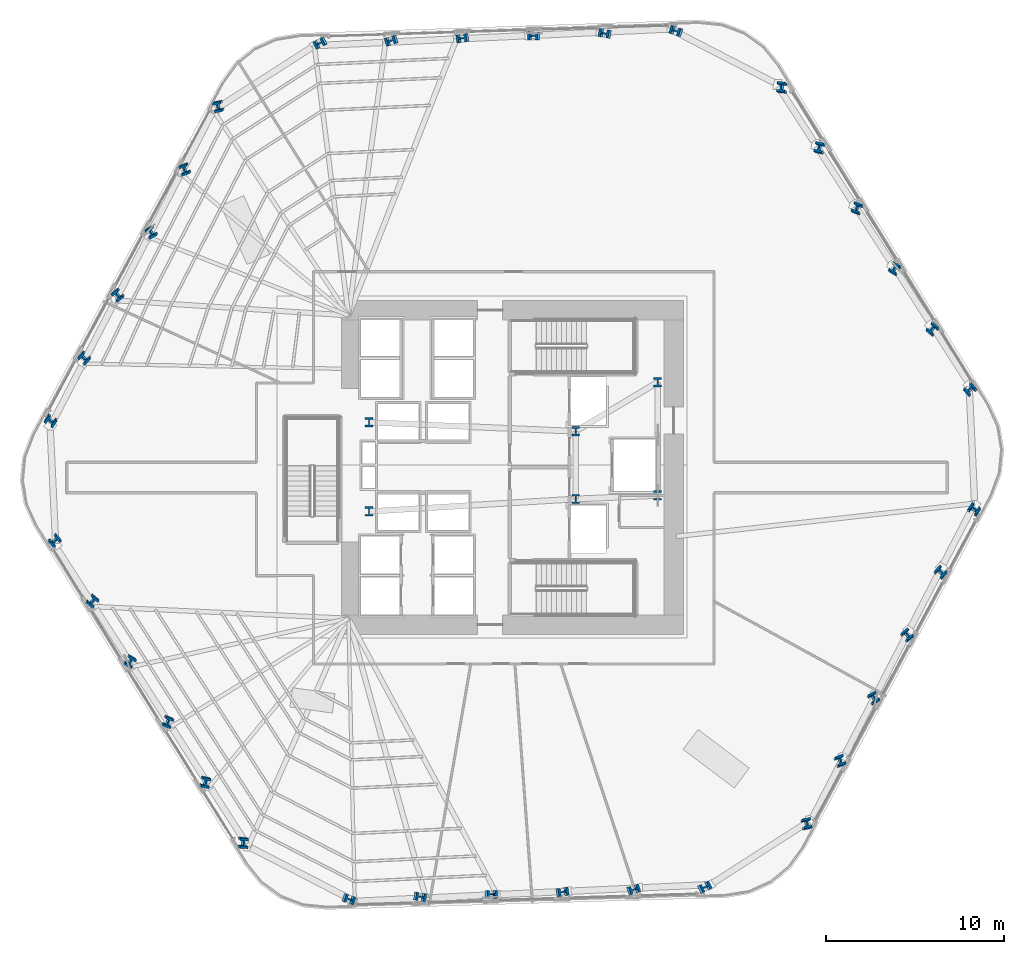
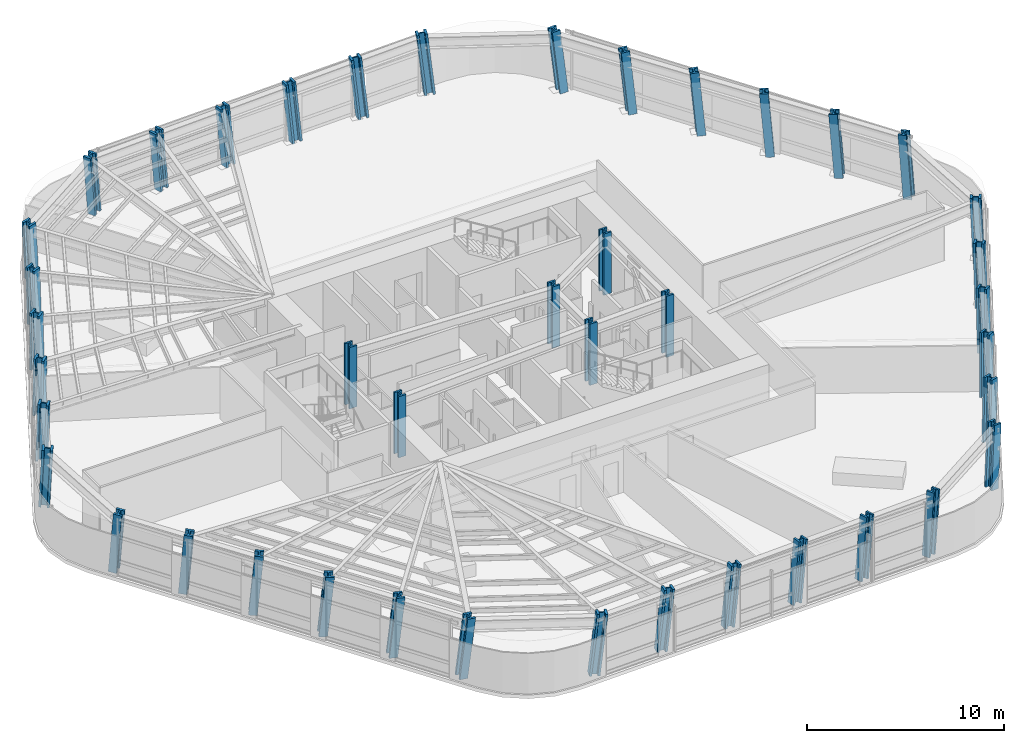
# One storey, part 1 of 15: 42 columns.
"""IFC4 building model written with IfcOpenShell, lengths in metres."""

from ifc_helpers import new_model, si_unit, direction, frame, origin, origin_2d, place, context, subcontext, project, spatial, i_section, extrude, material, material_profile, profile_set, type_object, element, save


model = new_model("IFC4")

# Units and contexts
model_context = context("Model", 3, precision=1e-05, world=origin(), true_north=direction((0.0, 1.0)))
body_context = subcontext(model_context, "Body", "Model", "MODEL_VIEW")
ifc_project = project(units=[si_unit("LENGTHUNIT", "METRE"), si_unit("AREAUNIT", "SQUARE_METRE"), si_unit("VOLUMEUNIT", "CUBIC_METRE"), si_unit("PLANEANGLEUNIT", "RADIAN"), si_unit("MASSUNIT", "GRAM", prefix="KILO")], contexts=[model_context])

# Site, building, storey
site_placement = place(None, origin())
site = spatial("IfcSite", under=ifc_project, at=site_placement, CompositionType="ELEMENT")
building_placement = place(site_placement, origin())
building = spatial("IfcBuilding", under=site, at=building_placement, Name="Valkerne Bourse Tower", CompositionType="ELEMENT")
storey_placement = place(building_placement, frame((0.0, 0.0, 31.60009765625)))
storey = spatial("IfcBuildingStorey", under=building, at=storey_placement, Name="L07", CompositionType="ELEMENT", Elevation=31.60009765625)

# Columns
ifc_material = material(Name="Steel ASTM A913 Grade 65", Category="steel")
ifc_material_profile_1 = material_profile(ifc_material, i_section(OverallWidth=0.44189453125, OverallDepth=0.531005859375, WebThickness=0.06591796875, FlangeThickness=0.105712890625, FilletRadius=0.030517578125, at=origin_2d()), Name="W14X605")
ifc_profile_set_1 = profile_set([ifc_material_profile_1], Name="Steel ASTM A913 Grade 65")
column_type_1 = type_object("IfcColumnType", Name="COL-W14X605", PredefinedType="COLUMN", material=ifc_profile_set_1)
for number, where, z_axis, x_axis, name in (
    (1, (38.75, 24.39990234375, 0.0048828125), (0.0, 0.0, 1.0), (1.0, 0.0, 0.0), "L07 Core Frame Column CC-SW"),
    (2, (38.75, 29.39990234375, 0.0048828125), (0.0, 0.0, 1.0), (1.0, 0.0, 0.0), "L07 Core Frame Column CC-NW"),
    (3, (50.35009765625, 25.10009765625, 0.0048828125), (0.0, 0.0, 1.0), (1.0, 0.0, 0.0), "L07 Core Frame Column CC-CE1"),
    (4, (50.35009765625, 28.89990234375, 0.0048828125), (0.0, 0.0, 1.0), (1.0, 0.0, 0.0), "L07 Core Frame Column CC-CE2"),
    (5, (54.949951171875, 25.300048828125, 0.0048828125), (0.0, 0.0, 1.0), (1.0, 0.0, 0.0), "L07 Core Frame Column CC-SE"),
    (6, (54.949951171875, 31.64990234375, 0.0048828125), (0.0, 0.0, 1.0), (1.0, 0.0, 0.0), "L07 Core Frame Column CC-NE"),
):
    element("IfcColumn", number, at=place(storey_placement, frame(where, z_axis=z_axis, x_axis=x_axis)), inside=storey, type_object=column_type_1, Name=name, PredefinedType="COLUMN", context=body_context, shape_type="SweptSolid", body=[
        extrude(i_section(OverallWidth=0.44189453125, OverallDepth=0.531005859375, WebThickness=0.06591796875, FlangeThickness=0.105712890625, FilletRadius=0.030517578125, at=origin_2d()), origin(), (0.0, 0.0, 1.0), 3.794921875),
    ])
ifc_material_profile_2 = material_profile(ifc_material, i_section(OverallWidth=0.45458984375, OverallDepth=0.569091796875, WebThickness=0.077880859375, FlangeThickness=0.124755859375, FilletRadius=0.030517578125, at=origin_2d()), Name="W14X730")
ifc_profile_set_2 = profile_set([ifc_material_profile_2], Name="Steel ASTM A913 Grade 65")
column_type_2 = type_object("IfcColumnType", Name="COL-W14X730", PredefinedType="COLUMN", material=ifc_profile_set_2)
column_1_placement = place(storey_placement, frame((72.489013671875, 31.173583984375, 0.010009765625), z_axis=(-0.018039205171, 0.105924158478, 0.99421057112), x_axis=(0.661335291887, -0.74451073152, 0.091320328277)))
element("IfcColumn", 7, at=column_1_placement, inside=storey, type_object=column_type_2, Name="L07 Helical Perimeter Tube Column F1-C1", PredefinedType="COLUMN", context=body_context, shape_type="SweptSolid", body=[
    extrude(i_section(OverallWidth=0.45458984375, OverallDepth=0.569091796875, WebThickness=0.077880859375, FlangeThickness=0.124755859375, FilletRadius=0.030517578125, at=origin_2d()), origin(), (0.0, 0.0, 1.0), 3.802978515625),
])
column_2_placement = place(storey_placement, frame((70.38330078125, 34.569580078125, 0.010009765625), z_axis=(-0.031987061875, 0.097245806585, 0.994746239487), x_axis=(0.764734361376, -0.638444615202, 0.087004769121)))
element("IfcColumn", 8, at=column_2_placement, inside=storey, type_object=column_type_2, Name="L07 Helical Perimeter Tube Column F1-C2", PredefinedType="COLUMN", context=body_context, shape_type="SweptSolid", body=[
    extrude(i_section(OverallWidth=0.45458984375, OverallDepth=0.569091796875, WebThickness=0.077880859375, FlangeThickness=0.124755859375, FilletRadius=0.030517578125, at=origin_2d()), origin(), (0.0, 0.0, 1.0), 3.801025390625),
])
for number, where, z_axis, x_axis, name in (
    (9, (68.277587890625, 37.9658203125, 0.010009765625), (-0.046002163814, 0.088406393027, 0.99502166338), (0.857811559229, -0.506937225343, 0.084699341285), "L07 Helical Perimeter Tube Column F1-C3"),
    (10, (66.171875, 41.362060546875, 0.010009765625), (-0.059944212599, 0.079604372358, 0.995022530035), (0.929657338292, -0.358558922234, 0.08469198691), "L07 Helical Perimeter Tube Column F1-C4"),
):
    element("IfcColumn", number, at=place(storey_placement, frame(where, z_axis=z_axis, x_axis=x_axis)), inside=storey, type_object=column_type_2, Name=name, PredefinedType="COLUMN", context=body_context, shape_type="SweptSolid", body=[
        extrude(i_section(OverallWidth=0.45458984375, OverallDepth=0.569091796875, WebThickness=0.077880859375, FlangeThickness=0.124755859375, FilletRadius=0.030517578125, at=origin_2d()), origin(), (0.0, 0.0, 1.0), 3.7998046875),
    ])
column_3_placement = place(storey_placement, frame((64.066162109375, 44.75830078125, 0.010009765625), z_axis=(-0.073930423894, 0.07071885031, 0.994752801772), x_axis=(0.975185135874, -0.203601451994, 0.08695055789)))
element("IfcColumn", 11, at=column_3_placement, inside=storey, type_object=column_type_2, Name="L07 Helical Perimeter Tube Column F1-C5", PredefinedType="COLUMN", context=body_context, shape_type="SweptSolid", body=[
    extrude(i_section(OverallWidth=0.45458984375, OverallDepth=0.569091796875, WebThickness=0.077880859375, FlangeThickness=0.124755859375, FilletRadius=0.030517578125, at=origin_2d()), origin(), (0.0, 0.0, 1.0), 3.801025390625),
])
for number, where, z_axis, x_axis, name in (
    (12, (61.96044921875, 48.154296875, 0.010009765625), (-0.087820541864, 0.061949431944, 0.994208137318), (0.994217955209, -0.05646024783, 0.09133946548), "L07 Helical Perimeter Tube Column F1-C6"),
    (13, (56.0302734375, 51.333984375, 0.010009765625), (-0.100851535924, 0.037361931195, 0.99419970519), (0.317937048483, 0.948105806774, -0.003378218918), "L07 Helical Perimeter Tube Column F2-C1"),
):
    element("IfcColumn", number, at=place(storey_placement, frame(where, z_axis=z_axis, x_axis=x_axis)), inside=storey, type_object=column_type_2, Name=name, PredefinedType="COLUMN", context=body_context, shape_type="SweptSolid", body=[
        extrude(i_section(OverallWidth=0.45458984375, OverallDepth=0.569091796875, WebThickness=0.077880859375, FlangeThickness=0.124755859375, FilletRadius=0.030517578125, at=origin_2d()), origin(), (0.0, 0.0, 1.0), 3.802978515625),
    ])
column_4_placement = place(storey_placement, frame((52.0361328125, 51.20849609375, 0.010009765625), z_axis=(-0.100200636319, 0.020875132566, 0.99474824017), x_axis=(0.173264591229, 0.984870065283, -0.003214955053)))
element("IfcColumn", 14, at=column_4_placement, inside=storey, type_object=column_type_2, Name="L07 Helical Perimeter Tube Column F2-C2", PredefinedType="COLUMN", context=body_context, shape_type="SweptSolid", body=[
    extrude(i_section(OverallWidth=0.45458984375, OverallDepth=0.569091796875, WebThickness=0.077880859375, FlangeThickness=0.124755859375, FilletRadius=0.030517578125, at=origin_2d()), origin(), (0.0, 0.0, 1.0), 3.801025390625),
])
column_5_placement = place(storey_placement, frame((48.0419921875, 51.0830078125, 0.010009765625), z_axis=(-0.099521853244, 0.004368938683, 0.995025785144), x_axis=(0.012610967252, 0.999915582657, -0.003129067692)))
element("IfcColumn", 15, at=column_5_placement, inside=storey, type_object=column_type_2, Name="L07 Helical Perimeter Tube Column F2-C3", PredefinedType="COLUMN", context=body_context, shape_type="SweptSolid", body=[
    extrude(i_section(OverallWidth=0.45458984375, OverallDepth=0.569091796875, WebThickness=0.077880859375, FlangeThickness=0.124755859375, FilletRadius=0.030517578125, at=origin_2d()), origin(), (0.0, 0.0, 1.0), 3.7998046875),
])
column_6_placement = place(storey_placement, frame((44.048095703125, 50.95751953125, 0.010009765625), z_axis=(-0.098942938267, -0.012142996969, 0.995019016196), x_axis=(-0.152774771334, 0.988256072528, -0.003131190685)))
element("IfcColumn", 16, at=column_6_placement, inside=storey, type_object=column_type_2, Name="L07 Helical Perimeter Tube Column F2-C4", PredefinedType="COLUMN", context=body_context, shape_type="SweptSolid", body=[
    extrude(i_section(OverallWidth=0.45458984375, OverallDepth=0.569091796875, WebThickness=0.077880859375, FlangeThickness=0.124755859375, FilletRadius=0.030517578125, at=origin_2d()), origin(), (0.0, 0.0, 1.0), 3.800048828125),
])
column_7_placement = place(storey_placement, frame((40.05419921875, 50.83203125, 0.010009765625), z_axis=(-0.098273581197, -0.028647070074, 0.994747027447), x_axis=(-0.309714580052, 0.950824137571, -0.003215325248)))
element("IfcColumn", 17, at=column_7_placement, inside=storey, type_object=column_type_2, Name="L07 Helical Perimeter Tube Column F2-C5", PredefinedType="COLUMN", context=body_context, shape_type="SweptSolid", body=[
    extrude(i_section(OverallWidth=0.45458984375, OverallDepth=0.569091796875, WebThickness=0.077880859375, FlangeThickness=0.124755859375, FilletRadius=0.030517578125, at=origin_2d()), origin(), (0.0, 0.0, 1.0), 3.801025390625),
])
for number, where, z_axis, x_axis, name in (
    (18, (36.06005859375, 50.70654296875, 0.010009765625), (-0.097577985758, -0.045129818413, 0.994204121992), (-0.447914389652, 0.89407007323, -0.003376936191), "L07 Helical Perimeter Tube Column F2-C6"),
    (19, (30.341064453125, 47.16064453125, 0.010009765625), (-0.0826849985, -0.068625980898, 0.994210071247), (-0.976027375269, -0.195965746283, -0.094699466787), "L07 Helical Perimeter Tube Column F3-C1"),
):
    element("IfcColumn", number, at=place(storey_placement, frame(where, z_axis=z_axis, x_axis=x_axis)), inside=storey, type_object=column_type_2, Name=name, PredefinedType="COLUMN", context=body_context, shape_type="SweptSolid", body=[
        extrude(i_section(OverallWidth=0.45458984375, OverallDepth=0.569091796875, WebThickness=0.077880859375, FlangeThickness=0.124755859375, FilletRadius=0.030517578125, at=origin_2d()), origin(), (0.0, 0.0, 1.0), 3.802978515625),
    ])
column_8_placement = place(storey_placement, frame((28.452880859375, 43.638916015625, 0.010009765625), z_axis=(-0.068213180845, -0.076370500965, 0.994743438552), x_axis=(-0.936432345255, -0.33904339818, -0.090244317886)))
element("IfcColumn", 20, at=column_8_placement, inside=storey, type_object=column_type_2, Name="L07 Helical Perimeter Tube Column F3-C2", PredefinedType="COLUMN", context=body_context, shape_type="SweptSolid", body=[
    extrude(i_section(OverallWidth=0.45458984375, OverallDepth=0.569091796875, WebThickness=0.077880859375, FlangeThickness=0.124755859375, FilletRadius=0.030517578125, at=origin_2d()), origin(), (0.0, 0.0, 1.0), 3.801025390625),
])
column_9_placement = place(storey_placement, frame((26.564453125, 40.1171875, 0.010009765625), z_axis=(-0.053519418455, -0.084037694285, 0.995024290049), x_axis=(-0.869637095096, -0.485820261245, -0.087806586293)))
element("IfcColumn", 21, at=column_9_placement, inside=storey, type_object=column_type_2, Name="L07 Helical Perimeter Tube Column F3-C3", PredefinedType="COLUMN", context=body_context, shape_type="SweptSolid", body=[
    extrude(i_section(OverallWidth=0.45458984375, OverallDepth=0.569091796875, WebThickness=0.077880859375, FlangeThickness=0.124755859375, FilletRadius=0.030517578125, at=origin_2d()), origin(), (0.0, 0.0, 1.0), 3.7998046875),
])
column_10_placement = place(storey_placement, frame((24.67626953125, 36.595703125, 0.010009765625), z_axis=(-0.038934531513, -0.091810966225, 0.995014999252), x_axis=(-0.777409210394, -0.622824664437, -0.087888320978)))
element("IfcColumn", 22, at=column_10_placement, inside=storey, type_object=column_type_2, Name="L07 Helical Perimeter Tube Column F3-C4", PredefinedType="COLUMN", context=body_context, shape_type="SweptSolid", body=[
    extrude(i_section(OverallWidth=0.45458984375, OverallDepth=0.569091796875, WebThickness=0.077880859375, FlangeThickness=0.124755859375, FilletRadius=0.030517578125, at=origin_2d()), origin(), (0.0, 0.0, 1.0), 3.800048828125),
])
column_11_placement = place(storey_placement, frame((22.787841796875, 33.073974609375, 0.010009765625), z_axis=(-0.024343579975, -0.099429714517, 0.994746762742), x_axis=(-0.667474594349, -0.739147323354, -0.090215853801)))
element("IfcColumn", 23, at=column_11_placement, inside=storey, type_object=column_type_2, Name="L07 Helical Perimeter Tube Column F3-C5", PredefinedType="COLUMN", context=body_context, shape_type="SweptSolid", body=[
    extrude(i_section(OverallWidth=0.45458984375, OverallDepth=0.569091796875, WebThickness=0.077880859375, FlangeThickness=0.124755859375, FilletRadius=0.030517578125, at=origin_2d()), origin(), (0.0, 0.0, 1.0), 3.801025390625),
])
for number, where, z_axis, x_axis, name in (
    (24, (20.899658203125, 29.55224609375, 0.010009765625), (-0.009693594223, -0.107078908373, 0.994203269766), (-0.54962300408, -0.83002172274, -0.094754911032), "L07 Helical Perimeter Tube Column F3-C6"),
    (25, (21.11083984375, 22.826416015625, 0.010009765625), (0.018103380629, -0.105924035594, 0.994209417725), (0.661773468741, -0.744120163096, -0.09132939803), "L07 Helical Perimeter Tube Column F4-C1"),
):
    element("IfcColumn", number, at=place(storey_placement, frame(where, z_axis=z_axis, x_axis=x_axis)), inside=storey, type_object=column_type_2, Name=name, PredefinedType="COLUMN", context=body_context, shape_type="SweptSolid", body=[
        extrude(i_section(OverallWidth=0.45458984375, OverallDepth=0.569091796875, WebThickness=0.077880859375, FlangeThickness=0.124755859375, FilletRadius=0.030517578125, at=origin_2d()), origin(), (0.0, 0.0, 1.0), 3.802978515625),
    ])
column_12_placement = place(storey_placement, frame((23.216552734375, 19.430419921875, 0.010009765625), z_axis=(0.032051227006, -0.097245606588, 0.994744193673), x_axis=(0.765114129924, -0.637987145964, -0.087021662673)))
element("IfcColumn", 26, at=column_12_placement, inside=storey, type_object=column_type_2, Name="L07 Helical Perimeter Tube Column F4-C2", PredefinedType="COLUMN", context=body_context, shape_type="SweptSolid", body=[
    extrude(i_section(OverallWidth=0.45458984375, OverallDepth=0.569091796875, WebThickness=0.077880859375, FlangeThickness=0.124755859375, FilletRadius=0.030517578125, at=origin_2d()), origin(), (0.0, 0.0, 1.0), 3.801025390625),
])
for number, where, z_axis, x_axis, name in (
    (27, (25.322265625, 16.0341796875, 0.010009765625), (0.046066276398, -0.088406131553, 0.995018720468), (0.858100092297, -0.506444491452, -0.084724309835), "L07 Helical Perimeter Tube Column F4-C3"),
    (28, (27.427978515625, 12.637939453125, 0.010009765625), (0.060008230251, -0.079604065612, 0.995018695824), (0.929839856248, -0.358077641905, -0.08472451889), "L07 Helical Perimeter Tube Column F4-C4"),
):
    element("IfcColumn", number, at=place(storey_placement, frame(where, z_axis=z_axis, x_axis=x_axis)), inside=storey, type_object=column_type_2, Name=name, PredefinedType="COLUMN", context=body_context, shape_type="SweptSolid", body=[
        extrude(i_section(OverallWidth=0.45458984375, OverallDepth=0.569091796875, WebThickness=0.077880859375, FlangeThickness=0.124755859375, FilletRadius=0.030517578125, at=origin_2d()), origin(), (0.0, 0.0, 1.0), 3.800048828125),
    ])
column_13_placement = place(storey_placement, frame((29.53369140625, 9.24169921875, 0.010009765625), z_axis=(0.073930423894, -0.07071885031, 0.994752801772), x_axis=(0.975185135874, -0.203601451994, -0.08695055789)))
element("IfcColumn", 29, at=column_13_placement, inside=storey, type_object=column_type_2, Name="L07 Helical Perimeter Tube Column F4-C5", PredefinedType="COLUMN", context=body_context, shape_type="SweptSolid", body=[
    extrude(i_section(OverallWidth=0.45458984375, OverallDepth=0.569091796875, WebThickness=0.077880859375, FlangeThickness=0.124755859375, FilletRadius=0.030517578125, at=origin_2d()), origin(), (0.0, 0.0, 1.0), 3.801025390625),
])
for number, where, z_axis, x_axis, name in (
    (30, (31.639404296875, 5.845703125, 0.010009765625), (0.087884242517, -0.061949082563, 0.994202530215), (0.994233432056, -0.056115339689, -0.09138353918), "L07 Helical Perimeter Tube Column F4-C6"),
    (31, (37.56982421875, 2.666015625, 0.010009765625), (0.100787992486, -0.037362173011, 0.994206139892), (0.318133557795, 0.948039893499, 0.003376349989), "L07 Helical Perimeter Tube Column F5-C1"),
):
    element("IfcColumn", number, at=place(storey_placement, frame(where, z_axis=z_axis, x_axis=x_axis)), inside=storey, type_object=column_type_2, Name=name, PredefinedType="COLUMN", context=body_context, shape_type="SweptSolid", body=[
        extrude(i_section(OverallWidth=0.45458984375, OverallDepth=0.569091796875, WebThickness=0.077880859375, FlangeThickness=0.124755859375, FilletRadius=0.030517578125, at=origin_2d()), origin(), (0.0, 0.0, 1.0), 3.802978515625),
    ])
column_14_placement = place(storey_placement, frame((41.563720703125, 2.79150390625, 0.010009765625), z_axis=(0.100200636319, -0.020875132566, 0.99474824017), x_axis=(0.173264591229, 0.984870065283, 0.003214955053)))
element("IfcColumn", 32, at=column_14_placement, inside=storey, type_object=column_type_2, Name="L07 Helical Perimeter Tube Column F5-C2", PredefinedType="COLUMN", context=body_context, shape_type="SweptSolid", body=[
    extrude(i_section(OverallWidth=0.45458984375, OverallDepth=0.569091796875, WebThickness=0.077880859375, FlangeThickness=0.124755859375, FilletRadius=0.030517578125, at=origin_2d()), origin(), (0.0, 0.0, 1.0), 3.801025390625),
])
for number, where, z_axis, x_axis, name in (
    (33, (45.557861328125, 2.9169921875, 0.010009765625), (0.09958546537, -0.004368910739, 0.995019420768), (0.012582901669, 0.999915929979, 0.003131063837), "L07 Helical Perimeter Tube Column F5-C3"),
    (34, (49.552001953125, 3.04248046875, 0.010009765625), (0.098942938267, 0.012142996969, 0.995019016196), (-0.152774771334, 0.988256072528, 0.003131190685), "L07 Helical Perimeter Tube Column F5-C4"),
):
    element("IfcColumn", number, at=place(storey_placement, frame(where, z_axis=z_axis, x_axis=x_axis)), inside=storey, type_object=column_type_2, Name=name, PredefinedType="COLUMN", context=body_context, shape_type="SweptSolid", body=[
        extrude(i_section(OverallWidth=0.45458984375, OverallDepth=0.569091796875, WebThickness=0.077880859375, FlangeThickness=0.124755859375, FilletRadius=0.030517578125, at=origin_2d()), origin(), (0.0, 0.0, 1.0), 3.800048828125),
    ])
column_15_placement = place(storey_placement, frame((53.5458984375, 3.16796875, 0.010009765625), z_axis=(0.098273581197, 0.028647070074, 0.994747027447), x_axis=(-0.309714580052, 0.950824137571, 0.003215325248)))
element("IfcColumn", 35, at=column_15_placement, inside=storey, type_object=column_type_2, Name="L07 Helical Perimeter Tube Column F5-C5", PredefinedType="COLUMN", context=body_context, shape_type="SweptSolid", body=[
    extrude(i_section(OverallWidth=0.45458984375, OverallDepth=0.569091796875, WebThickness=0.077880859375, FlangeThickness=0.124755859375, FilletRadius=0.030517578125, at=origin_2d()), origin(), (0.0, 0.0, 1.0), 3.801025390625),
])
for number, where, z_axis, x_axis, name in (
    (36, (57.539794921875, 3.29345703125, 0.010009765625), (0.097577985758, 0.045129818413, 0.994204121992), (-0.447914389652, 0.89407007323, 0.003376936191), "L07 Helical Perimeter Tube Column F5-C6"),
    (37, (63.2587890625, 6.83935546875, 0.010009765625), (0.082748755521, 0.068625616487, 0.994204791892), (-0.976098459953, -0.195590526529, 0.094742505827), "L07 Helical Perimeter Tube Column F6-C1"),
):
    element("IfcColumn", number, at=place(storey_placement, frame(where, z_axis=z_axis, x_axis=x_axis)), inside=storey, type_object=column_type_2, Name=name, PredefinedType="COLUMN", context=body_context, shape_type="SweptSolid", body=[
        extrude(i_section(OverallWidth=0.45458984375, OverallDepth=0.569091796875, WebThickness=0.077880859375, FlangeThickness=0.124755859375, FilletRadius=0.030517578125, at=origin_2d()), origin(), (0.0, 0.0, 1.0), 3.802978515625),
    ])
column_16_placement = place(storey_placement, frame((65.147216796875, 10.361083984375, 0.010009765625), z_axis=(0.068149248426, 0.076370835418, 0.994747794889), x_axis=(-0.936276120643, -0.339484492347, 0.090207013973)))
element("IfcColumn", 38, at=column_16_placement, inside=storey, type_object=column_type_2, Name="L07 Helical Perimeter Tube Column F6-C2", PredefinedType="COLUMN", context=body_context, shape_type="SweptSolid", body=[
    extrude(i_section(OverallWidth=0.45458984375, OverallDepth=0.569091796875, WebThickness=0.077880859375, FlangeThickness=0.124755859375, FilletRadius=0.030517578125, at=origin_2d()), origin(), (0.0, 0.0, 1.0), 3.801025390625),
])
column_17_placement = place(storey_placement, frame((67.035400390625, 13.8828125, 0.010009765625), z_axis=(0.053583483096, 0.084037405143, 0.995020866553), x_axis=(-0.869899501628, -0.485344793843, 0.087836713031)))
element("IfcColumn", 39, at=column_17_placement, inside=storey, type_object=column_type_2, Name="L07 Helical Perimeter Tube Column F6-C3", PredefinedType="COLUMN", context=body_context, shape_type="SweptSolid", body=[
    extrude(i_section(OverallWidth=0.45458984375, OverallDepth=0.569091796875, WebThickness=0.077880859375, FlangeThickness=0.124755859375, FilletRadius=0.030517578125, at=origin_2d()), origin(), (0.0, 0.0, 1.0), 3.7998046875),
])
column_18_placement = place(storey_placement, frame((68.923828125, 17.404296875, 0.010009765625), z_axis=(0.038934531513, 0.091810966225, 0.995014999252), x_axis=(-0.777409210394, -0.622824664437, 0.087888320978)))
element("IfcColumn", 40, at=column_18_placement, inside=storey, type_object=column_type_2, Name="L07 Helical Perimeter Tube Column F6-C4", PredefinedType="COLUMN", context=body_context, shape_type="SweptSolid", body=[
    extrude(i_section(OverallWidth=0.45458984375, OverallDepth=0.569091796875, WebThickness=0.077880859375, FlangeThickness=0.124755859375, FilletRadius=0.030517578125, at=origin_2d()), origin(), (0.0, 0.0, 1.0), 3.800048828125),
])
column_19_placement = place(storey_placement, frame((70.81201171875, 20.926025390625, 0.010009765625), z_axis=(0.024343579975, 0.099429714517, 0.994746762742), x_axis=(-0.667474594349, -0.739147323354, 0.090215853801)))
element("IfcColumn", 41, at=column_19_placement, inside=storey, type_object=column_type_2, Name="L07 Helical Perimeter Tube Column F6-C5", PredefinedType="COLUMN", context=body_context, shape_type="SweptSolid", body=[
    extrude(i_section(OverallWidth=0.45458984375, OverallDepth=0.569091796875, WebThickness=0.077880859375, FlangeThickness=0.124755859375, FilletRadius=0.030517578125, at=origin_2d()), origin(), (0.0, 0.0, 1.0), 3.801025390625),
])
column_20_placement = place(storey_placement, frame((72.700439453125, 24.44775390625, 0.010009765625), z_axis=(0.009693594223, 0.107078908373, 0.994203269766), x_axis=(-0.54962300408, -0.83002172274, 0.094754911032)))
element("IfcColumn", 42, at=column_20_placement, inside=storey, type_object=column_type_2, Name="L07 Helical Perimeter Tube Column F6-C6", PredefinedType="COLUMN", context=body_context, shape_type="SweptSolid", body=[
    extrude(i_section(OverallWidth=0.45458984375, OverallDepth=0.569091796875, WebThickness=0.077880859375, FlangeThickness=0.124755859375, FilletRadius=0.030517578125, at=origin_2d()), origin(), (0.0, 0.0, 1.0), 3.802978515625),
])

save(model, "model.ifc")
